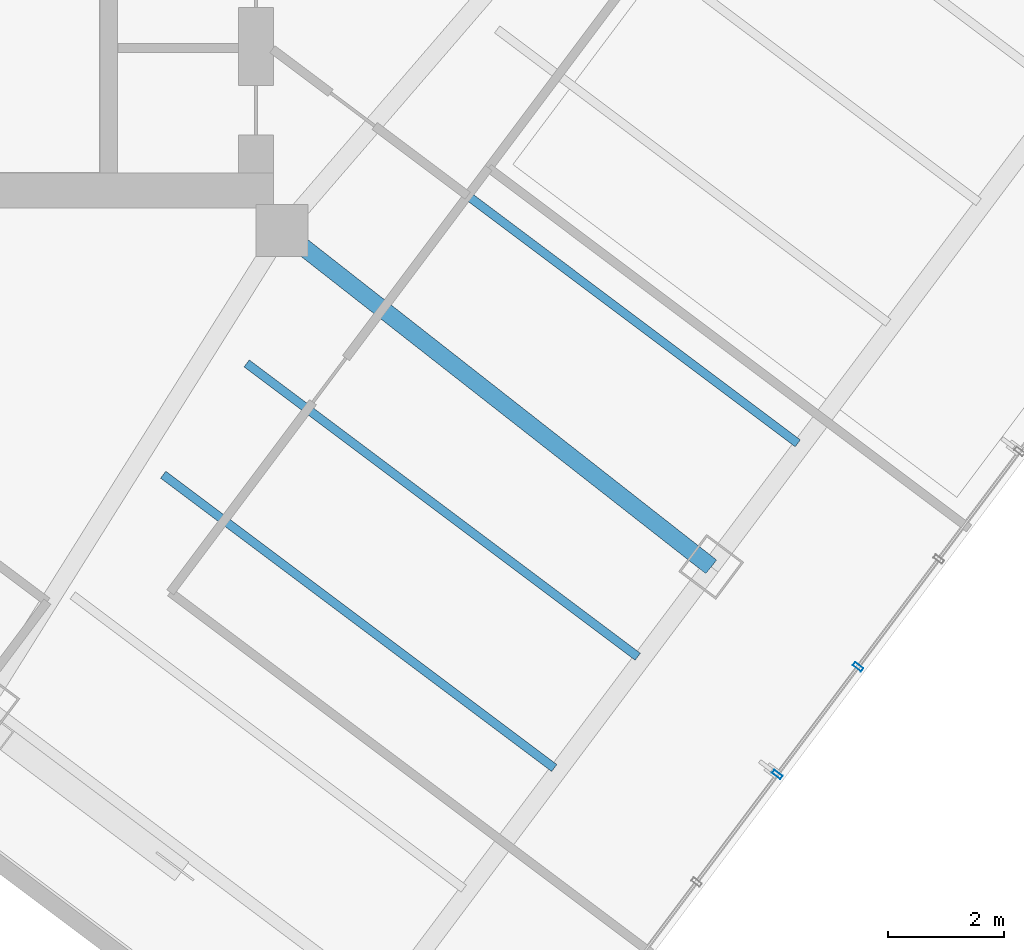
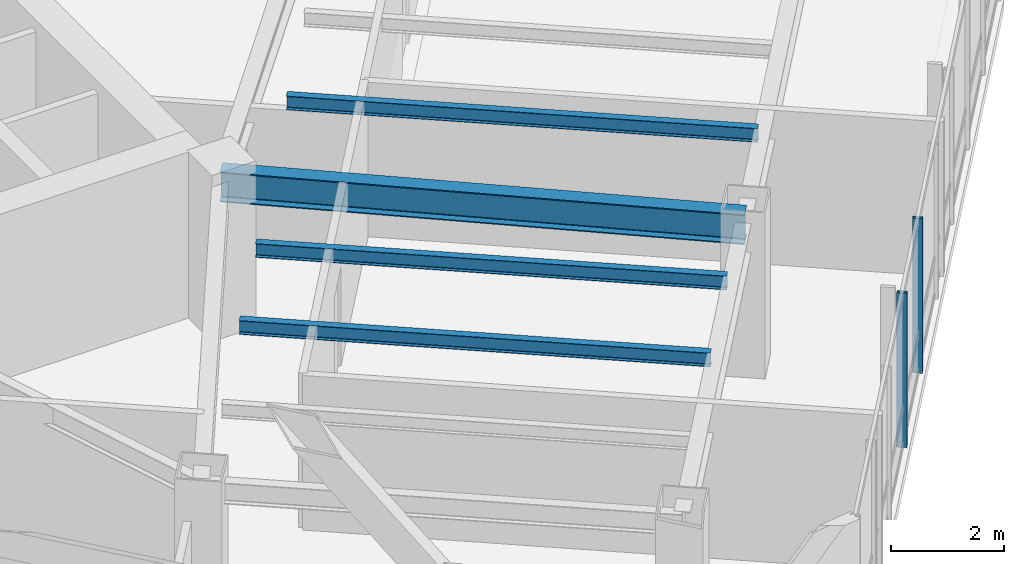
# One storey, part 11 of 28: 4 beams, 2 members, 1 element without a shape of its own.
"""IFC4 building model written with IfcOpenShell, lengths in metres."""

from ifc_helpers import new_model, si_unit, direction, frame, origin, origin_2d, place, context, subcontext, project, spatial, hollow_rectangle, i_section, extrude, material, layer, layer_set, material_profile, profile_set, type_object, element, aggregate, save


model = new_model("IFC4")

# Units and contexts
model_context = context("Model", 3, precision=1e-05, world=origin(), true_north=direction((0.0, 1.0)))
body_context = subcontext(model_context, "Body", "Model", "MODEL_VIEW")
ifc_project = project(units=[si_unit("LENGTHUNIT", "METRE"), si_unit("AREAUNIT", "SQUARE_METRE"), si_unit("VOLUMEUNIT", "CUBIC_METRE"), si_unit("PLANEANGLEUNIT", "RADIAN"), si_unit("MASSUNIT", "GRAM", prefix="KILO")], contexts=[model_context])

# Site, building, storey
site_placement = place(None, origin())
site = spatial("IfcSite", under=ifc_project, at=site_placement, CompositionType="ELEMENT")
building_placement = place(site_placement, origin())
building = spatial("IfcBuilding", under=site, at=building_placement, Name="Hatsunagi Terrace Concourse", CompositionType="ELEMENT")
storey_placement = place(building_placement, frame((0.0, 0.0, 138.449951171875)))
storey = spatial("IfcBuildingStorey", under=building, at=storey_placement, Name="L36", CompositionType="ELEMENT", Elevation=138.449951171875)

# Curtain wall, members
ifc_material_1 = material(Name="Anodised Aluminium Alloy 6063-T5", Category="aluminium")
ifc_layer = layer(ifc_material_1, 0.199951171875)
ifc_layer_set = layer_set([ifc_layer], Name="OfficeZone1_CW03")
curtain_wall_type = type_object("IfcCurtainWallType", Name="OfficeZone1_CW03", PredefinedType="NOTDEFINED", material=ifc_layer_set)
curtain_wall_placement = place(storey_placement, origin())
curtain_wall = element("IfcCurtainWall", 1, at=curtain_wall_placement, inside=storey, type_object=curtain_wall_type, Name="Unitised Curtain Wall CW-03 CW-L36-03", PredefinedType="NOTDEFINED")
ifc_material_2 = material(Name="Anodised Aluminium Alloy 6063-T5", Category="aluminium")
ifc_material_profile_1 = material_profile(ifc_material_2, hollow_rectangle(XDim=0.070068359375, YDim=0.179931640625, WallThickness=0.00390625, at=origin_2d()), Name="ALU-MUL-180x70x4")
ifc_profile_set_1 = profile_set([ifc_material_profile_1], Name="Anodised Aluminium Alloy 6063-T5")
member_type = type_object("IfcMemberType", Name="CurtainWallMullion_180x70", PredefinedType="MULLION", material=ifc_profile_set_1)
member_1_placement = place(storey_placement, frame((53.73193359375, 16.676025390625, 0.0), z_axis=(0.0, 0.0, 1.0), x_axis=(-0.599969314634, -0.800023013105, 0.0)))
member_1 = element("IfcMember", 2, at=member_1_placement, type_object=member_type, Name="Curtain Wall Mullion MUL-02", PredefinedType="MULLION", context=body_context, shape_type="SweptSolid", body=[
    extrude(hollow_rectangle(XDim=0.070068359375, YDim=0.179931640625, WallThickness=0.00390625, at=origin_2d()), origin(), (0.0, 0.0, 1.0), 3.35009765625),
])
member_2_placement = place(storey_placement, frame((52.340087890625, 14.819091796875, 0.0), z_axis=(0.0, 0.0, 1.0), x_axis=(-0.599969314634, -0.800023013105, 0.0)))
member_2 = element("IfcMember", 3, at=member_2_placement, type_object=member_type, Name="Curtain Wall Mullion MUL-02", PredefinedType="MULLION", context=body_context, shape_type="SweptSolid", body=[
    extrude(hollow_rectangle(XDim=0.070068359375, YDim=0.179931640625, WallThickness=0.00390625, at=origin_2d()), origin(), (0.0, 0.0, 1.0), 3.35009765625),
])
aggregate(curtain_wall, [member_1, member_2])

# Beams
ifc_material_3 = material(Name="Steel SN490B", Category="steel")
ifc_material_profile_2 = material_profile(ifc_material_3, i_section(OverallWidth=0.14990234375, OverallDepth=0.300048828125, WebThickness=0.006591796875, FlangeThickness=0.009033203125, FilletRadius=0.010986328125, at=origin_2d()), Name="H-300x150x6.5x9")
ifc_profile_set_2 = profile_set([ifc_material_profile_2], Name="Steel SN490B")
beam_type_1 = type_object("IfcBeamType", Name="OfficeJoist_H_300x150", PredefinedType="JOIST", material=ifc_profile_set_2)
for number, where, z_axis, x_axis, name in (
    (4, (41.748046875, 19.989013671875, 3.199951171875), (0.799989573921, -0.600013901187, 0.0), (0.600013901187, 0.799989573921, 0.0), "Beam J-03 J-L36-SE-2-72"),
    (5, (43.18798828125, 21.908935546875, 3.199951171875), (0.800003475366, -0.59999536615, 0.0), (0.59999536615, 0.800003475366, 0.0), "Beam J-03 J-L36-SE-2-96"),
    (6, (45.947998046875, 25.589111328125, 3.199951171875), (0.799989573921, -0.600013901187, 0.0), (0.600013901187, 0.799989573921, 0.0), "Beam J-03 J-L36-SE-2-142"),
):
    element("IfcBeam", number, at=place(storey_placement, frame(where, z_axis=z_axis, x_axis=x_axis)), inside=storey, type_object=beam_type_1, Name=name, PredefinedType="JOIST", context=body_context, shape_type="SweptSolid", body=[
        extrude(i_section(OverallWidth=0.14990234375, OverallDepth=0.300048828125, WebThickness=0.006591796875, FlangeThickness=0.009033203125, FilletRadius=0.010986328125, at=origin_2d()), origin(), (0.0, 0.0, 1.0), 8.429931640625),
    ])
ifc_material_4 = material(Name="Steel SN490B", Category="steel")
ifc_material_profile_3 = material_profile(ifc_material_4, i_section(OverallWidth=0.300048828125, OverallDepth=0.64990234375, WebThickness=0.012939453125, FlangeThickness=0.02197265625, FilletRadius=0.01806640625, at=origin_2d()), Name="H-650x300x13x22")
ifc_profile_set_3 = profile_set([ifc_material_profile_3], Name="Steel SN490B")
beam_type_2 = type_object("IfcBeamType", Name="OfficeLowGirder_H_650x300", PredefinedType="BEAM", material=ifc_profile_set_3)
beam_placement = place(storey_placement, frame((43.800048828125, 24.199951171875, 3.025146484375), z_axis=(0.787049441068, -0.616889923175, 0.0), x_axis=(0.616889923175, 0.787049441068, 0.0)))
element("IfcBeam", 7, at=beam_placement, inside=storey, type_object=beam_type_2, Name="Beam G-05 BM-L36-SE-M2", PredefinedType="BEAM", context=body_context, shape_type="SweptSolid", body=[
    extrude(i_section(OverallWidth=0.300048828125, OverallDepth=0.64990234375, WebThickness=0.012939453125, FlangeThickness=0.02197265625, FilletRadius=0.01806640625, at=origin_2d()), origin(), (0.0, 0.0, 1.0), 9.402099609375),
])

save(model, "model.ifc")
